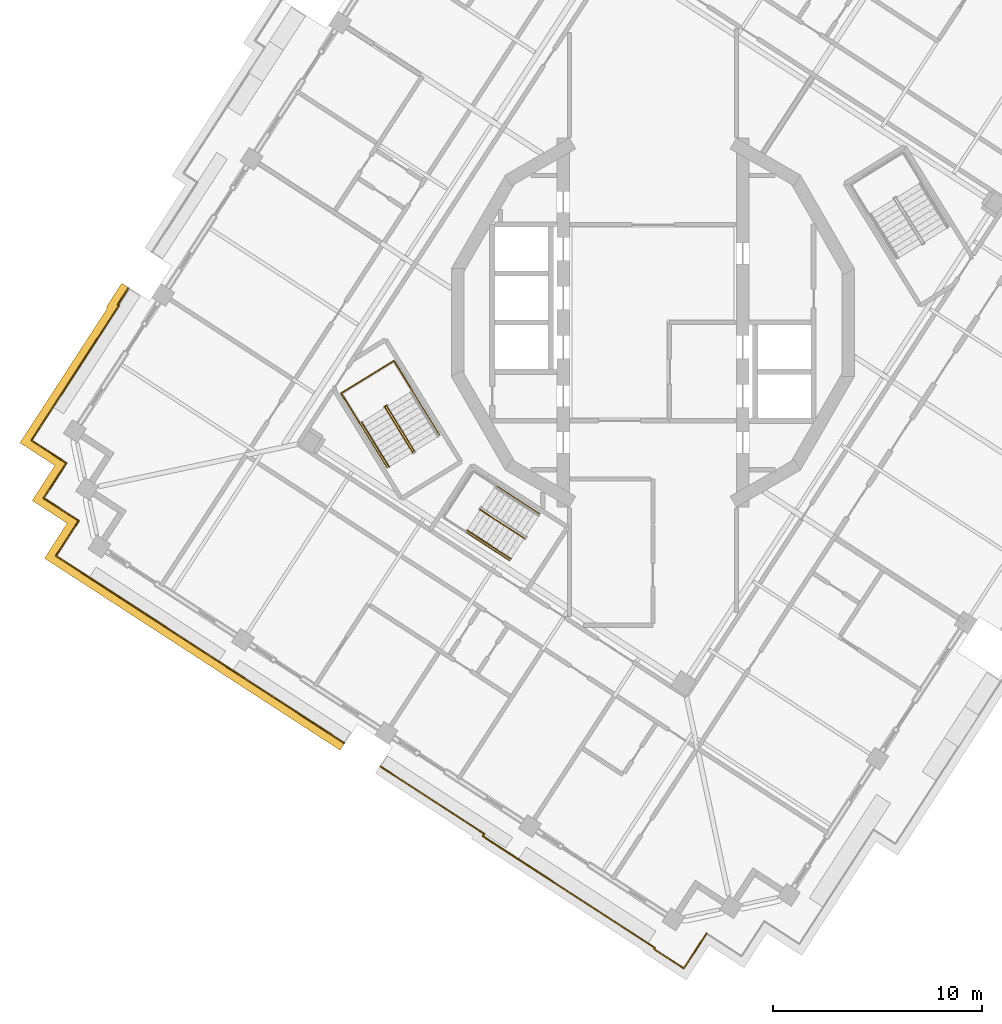
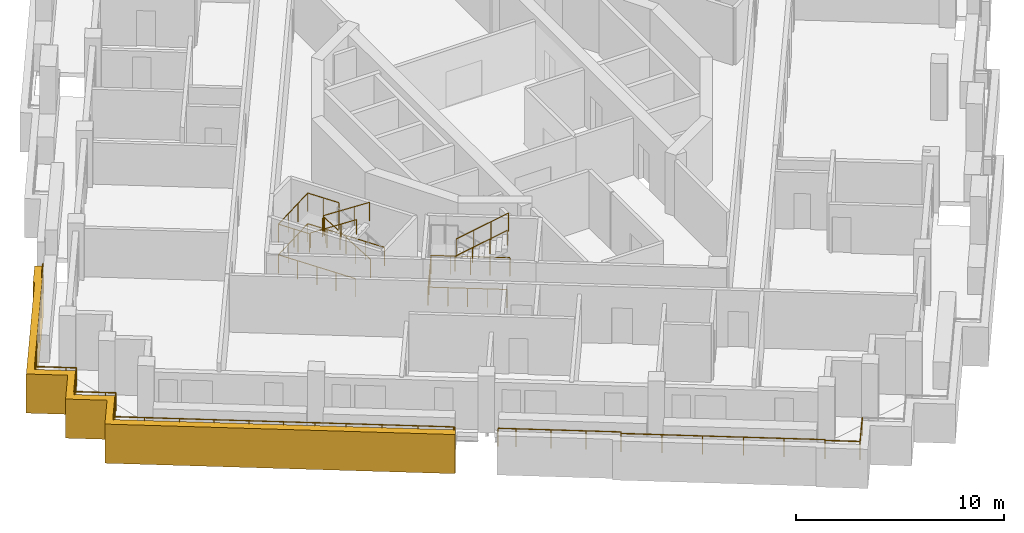
# One storey, part 11 of 15: 11 railings, 1 covering.
"""IFC4 building model written with IfcOpenShell, lengths in metres."""

from ifc_helpers import new_model, si_unit, direction, frame, origin, origin_2d, place, context, subcontext, project, spatial, polyline, circle, outline, extrude, material, type_object, element, save


model = new_model("IFC4")

# Units and contexts
model_context = context("Model", 3, precision=1e-05, world=origin(), true_north=direction((0.0, 1.0)))
body_context = subcontext(model_context, "Body", "Model", "MODEL_VIEW")
ifc_project = project(units=[si_unit("LENGTHUNIT", "METRE"), si_unit("AREAUNIT", "SQUARE_METRE"), si_unit("VOLUMEUNIT", "CUBIC_METRE"), si_unit("PLANEANGLEUNIT", "RADIAN"), si_unit("MASSUNIT", "GRAM", prefix="KILO")], contexts=[model_context])

# Site, building, storey
site_placement = place(None, origin())
site = spatial("IfcSite", under=ifc_project, at=site_placement, CompositionType="ELEMENT")
building_placement = place(site_placement, origin())
building = spatial("IfcBuilding", under=site, at=building_placement, Name="Cantera Rosa Tower", CompositionType="ELEMENT")
storey_placement = place(building_placement, frame((0.0, 0.0, 261.300048828125)))
storey = spatial("IfcBuildingStorey", under=building, at=storey_placement, Name="L58", CompositionType="ELEMENT", Elevation=261.300048828125)

# Railings
ifc_material_1 = material(Name="Stainless steel and laminated glass", Category="steel")
railing_type_1 = type_object("IfcRailingType", Name="GUARD 1100", PredefinedType="BALUSTRADE", material=ifc_material_1)
railing_1_placement = place(storey_placement, frame((-28.3720703125, -7.151123046875, 0.0)))
element("IfcRailing", 1, at=railing_1_placement, inside=storey, type_object=railing_type_1, Name="GUARD L58-1", PredefinedType="BALUSTRADE", context=body_context, shape_type="SweptSolid", body=[
    extrude(circle(Radius=0.030029296875, at=origin_2d()), frame((0.0, 0.0, 1.070068359375), z_axis=(0.544627753175, 0.83867789435, 0.0), x_axis=(-0.83867789435, 0.544627753175, 0.0)), (0.0, 0.0, 1.0), 0.499755859375),
    extrude(circle(Radius=0.030029296875, at=origin_2d()), frame((0.272216796875, 0.419189453125, 1.070068359375), z_axis=(-0.838454772945, 0.544971186143, 0.0), x_axis=(-0.544971186143, -0.838454772945, 0.0)), (0.0, 0.0, 1.0), 0.5),
    extrude(circle(Radius=0.030029296875, at=origin_2d()), frame((-0.14697265625, 0.691650390625, 1.070068359375), z_axis=(-0.8387001057, 0.544593548161, 0.0), x_axis=(-0.544593548161, -0.8387001057, 0.0)), (0.0, 0.0, 1.0), 1.5),
    extrude(circle(Radius=0.030029296875, at=origin_2d()), frame((-1.405029296875, 1.508544921875, 1.070068359375), z_axis=(0.544593548161, 0.8387001057, 0.0), x_axis=(-0.8387001057, 0.544593548161, 0.0)), (0.0, 0.0, 1.0), 1.5),
    extrude(circle(Radius=0.030029296875, at=origin_2d()), frame((-0.588134765625, 2.7666015625, 1.070068359375), z_axis=(0.544651062083, 0.838662757354, 0.0), x_axis=(-0.838662757354, 0.544651062083, 0.0)), (0.0, 0.0, 1.0), 6.208740234375),
    extrude(circle(Radius=0.030029296875, at=origin_2d()), frame((2.79345703125, 7.9736328125, 1.070068359375), z_axis=(-0.839844835389, 0.542826539947, 0.0), x_axis=(-0.542826539947, -0.839844835389, 0.0)), (0.0, 0.0, 1.0), 0.071533203125),
    extrude(circle(Radius=0.030029296875, at=origin_2d()), frame((2.7333984375, 8.012451171875, 1.070068359375), z_axis=(0.544605442853, 0.838692381994, 0.0), x_axis=(-0.838692381994, 0.544605442853, 0.0)), (0.0, 0.0, 1.0), 0.94140625),
    extrude(circle(Radius=0.02490234375, at=origin_2d()), origin(), (0.0, 0.0, 1.0), 1.0400390625),
    extrude(circle(Radius=0.02490234375, at=origin_2d()), frame((0.272216796875, 0.419189453125, 0.0)), (0.0, 0.0, 1.0), 1.0400390625),
    extrude(circle(Radius=0.02490234375, at=origin_2d()), frame((-0.14697265625, 0.691650390625, 0.0)), (0.0, 0.0, 1.0), 1.0400390625),
    extrude(circle(Radius=0.02490234375, at=origin_2d()), frame((-1.405029296875, 1.508544921875, 0.0)), (0.0, 0.0, 1.0), 1.0400390625),
    extrude(circle(Radius=0.02490234375, at=origin_2d()), frame((-0.588134765625, 2.7666015625, 0.0)), (0.0, 0.0, 1.0), 1.0400390625),
    extrude(circle(Radius=0.02490234375, at=origin_2d()), frame((0.5390625, 4.502197265625, 0.0)), (0.0, 0.0, 1.0), 1.0400390625),
    extrude(circle(Radius=0.02490234375, at=origin_2d()), frame((1.666259765625, 6.238037109375, 0.0)), (0.0, 0.0, 1.0), 1.0400390625),
    extrude(circle(Radius=0.02490234375, at=origin_2d()), frame((2.79345703125, 7.9736328125, 0.0)), (0.0, 0.0, 1.0), 1.0400390625),
    extrude(circle(Radius=0.02490234375, at=origin_2d()), frame((2.7333984375, 8.012451171875, 0.0)), (0.0, 0.0, 1.0), 1.0400390625),
    extrude(circle(Radius=0.02490234375, at=origin_2d()), frame((3.24609375, 8.802001953125, 0.0)), (0.0, 0.0, 1.0), 1.0400390625),
])
railing_2_placement = place(storey_placement, frame((-14.7880859375, -20.14599609375, 0.0)))
element("IfcRailing", 2, at=railing_2_placement, inside=storey, type_object=railing_type_1, Name="GUARD L58-2", PredefinedType="BALUSTRADE", context=body_context, shape_type="SweptSolid", body=[
    extrude(circle(Radius=0.030029296875, at=origin_2d()), frame((0.0, 0.0, 1.070068359375), z_axis=(-0.838443616301, 0.544988350595, 0.0), x_axis=(-0.544988350595, -0.838443616301, 0.0)), (0.0, 0.0, 1.0), 0.06982421875),
    extrude(circle(Radius=0.030029296875, at=origin_2d()), frame((-0.05859375, 0.0380859375, 1.070068359375), z_axis=(-0.838657010828, 0.544659910576, 0.0), x_axis=(-0.544659910576, -0.838657010828, 0.0)), (0.0, 0.0, 1.0), 5.2001953125),
    extrude(circle(Radius=0.030029296875, at=origin_2d()), frame((-4.419677734375, 2.870361328125, 1.070068359375), z_axis=(-0.8387001057, 0.544593548161, 0.0), x_axis=(-0.544593548161, -0.8387001057, 0.0)), (0.0, 0.0, 1.0), 3.0),
    extrude(circle(Radius=0.030029296875, at=origin_2d()), frame((-6.935791015625, 4.504150390625, 1.070068359375), z_axis=(-0.838666659313, 0.544645053734, 0.0), x_axis=(-0.544645053734, -0.838666659313, 0.0)), (0.0, 0.0, 1.0), 6.7001953125),
    extrude(circle(Radius=0.030029296875, at=origin_2d()), frame((-12.554931640625, 8.1533203125, 1.070068359375), z_axis=(-0.838651824232, 0.544667896716, 0.0), x_axis=(-0.544667896716, -0.838651824232, 0.0)), (0.0, 0.0, 1.0), 1.499755859375),
    extrude(circle(Radius=0.030029296875, at=origin_2d()), frame((-13.812744140625, 8.97021484375, 1.070068359375), z_axis=(0.544593548161, 0.8387001057, 0.0), x_axis=(-0.8387001057, 0.544593548161, 0.0)), (0.0, 0.0, 1.0), 1.5),
    extrude(circle(Radius=0.030029296875, at=origin_2d()), frame((-12.995849609375, 10.228271484375, 1.070068359375), z_axis=(0.544627753175, 0.83867789435, 0.0), x_axis=(-0.83867789435, 0.544627753175, 0.0)), (0.0, 0.0, 1.0), 0.499755859375),
    extrude(circle(Radius=0.030029296875, at=origin_2d()), frame((-12.7236328125, 10.6474609375, 1.070068359375), z_axis=(-0.838454772945, 0.544971186143, 0.0), x_axis=(-0.544971186143, -0.838454772945, 0.0)), (0.0, 0.0, 1.0), 0.5),
    extrude(circle(Radius=0.030029296875, at=origin_2d()), frame((-13.142822265625, 10.919921875, 1.070068359375), z_axis=(-0.8387001057, 0.544593548161, 0.0), x_axis=(-0.544593548161, -0.8387001057, 0.0)), (0.0, 0.0, 1.0), 1.5),
    extrude(circle(Radius=0.030029296875, at=origin_2d()), frame((-14.40087890625, 11.73681640625, 1.070068359375), z_axis=(0.544593548161, 0.8387001057, 0.0), x_axis=(-0.8387001057, 0.544593548161, 0.0)), (0.0, 0.0, 1.0), 1.5),
    extrude(circle(Radius=0.02490234375, at=origin_2d()), origin(), (0.0, 0.0, 1.0), 1.0400390625),
    extrude(circle(Radius=0.02490234375, at=origin_2d()), frame((-0.05859375, 0.0380859375, 0.0)), (0.0, 0.0, 1.0), 1.0400390625),
    extrude(circle(Radius=0.02490234375, at=origin_2d()), frame((-1.51220703125, 0.982177734375, 0.0)), (0.0, 0.0, 1.0), 1.0400390625),
    extrude(circle(Radius=0.02490234375, at=origin_2d()), frame((-2.966064453125, 1.92626953125, 0.0)), (0.0, 0.0, 1.0), 1.0400390625),
    extrude(circle(Radius=0.02490234375, at=origin_2d()), frame((-4.419677734375, 2.870361328125, 0.0)), (0.0, 0.0, 1.0), 1.0400390625),
    extrude(circle(Radius=0.02490234375, at=origin_2d()), frame((-5.677734375, 3.687255859375, 0.0)), (0.0, 0.0, 1.0), 1.0400390625),
    extrude(circle(Radius=0.02490234375, at=origin_2d()), frame((-6.935791015625, 4.504150390625, 0.0)), (0.0, 0.0, 1.0), 1.0400390625),
    extrude(circle(Radius=0.02490234375, at=origin_2d()), frame((-8.340576171875, 5.41650390625, 0.0)), (0.0, 0.0, 1.0), 1.0400390625),
    extrude(circle(Radius=0.02490234375, at=origin_2d()), frame((-9.745361328125, 6.32861328125, 0.0)), (0.0, 0.0, 1.0), 1.0400390625),
    extrude(circle(Radius=0.02490234375, at=origin_2d()), frame((-11.150146484375, 7.240966796875, 0.0)), (0.0, 0.0, 1.0), 1.0400390625),
    extrude(circle(Radius=0.02490234375, at=origin_2d()), frame((-12.554931640625, 8.1533203125, 0.0)), (0.0, 0.0, 1.0), 1.0400390625),
    extrude(circle(Radius=0.02490234375, at=origin_2d()), frame((-13.812744140625, 8.97021484375, 0.0)), (0.0, 0.0, 1.0), 1.0400390625),
    extrude(circle(Radius=0.02490234375, at=origin_2d()), frame((-12.995849609375, 10.228271484375, 0.0)), (0.0, 0.0, 1.0), 1.0400390625),
    extrude(circle(Radius=0.02490234375, at=origin_2d()), frame((-12.7236328125, 10.6474609375, 0.0)), (0.0, 0.0, 1.0), 1.0400390625),
    extrude(circle(Radius=0.02490234375, at=origin_2d()), frame((-13.142822265625, 10.919921875, 0.0)), (0.0, 0.0, 1.0), 1.0400390625),
    extrude(circle(Radius=0.02490234375, at=origin_2d()), frame((-14.40087890625, 11.73681640625, 0.0)), (0.0, 0.0, 1.0), 1.0400390625),
    extrude(circle(Radius=0.02490234375, at=origin_2d()), frame((-13.583984375, 12.994873046875, 0.0)), (0.0, 0.0, 1.0), 1.0400390625),
])
railing_3_placement = place(storey_placement, frame((2.571533203125, -29.273193359375, 0.0)))
element("IfcRailing", 3, at=railing_3_placement, inside=storey, type_object=railing_type_1, Name="GUARD L58-5", PredefinedType="BALUSTRADE", context=body_context, shape_type="SweptSolid", body=[
    extrude(circle(Radius=0.030029296875, at=origin_2d()), frame((0.0, 0.0, 1.070068359375), z_axis=(-0.54468796124, -0.838638792855, 0.0), x_axis=(0.838638792855, -0.54468796124, 0.0)), (0.0, 0.0, 1.0), 2.0),
    extrude(circle(Radius=0.030029296875, at=origin_2d()), frame((-1.08935546875, -1.67724609375, 1.070068359375), z_axis=(-0.838663412569, 0.54465005317, 0.0), x_axis=(-0.54465005317, -0.838663412569, 0.0)), (0.0, 0.0, 1.0), 1.69970703125),
    extrude(circle(Radius=0.030029296875, at=origin_2d()), frame((-2.514892578125, -0.75146484375, 1.070068359375), z_axis=(0.54339569987, 0.839476690184, 0.0), x_axis=(-0.839476690184, 0.54339569987, 0.0)), (0.0, 0.0, 1.0), 0.070068359375),
    extrude(circle(Radius=0.030029296875, at=origin_2d()), frame((-2.476806640625, -0.692626953125, 1.070068359375), z_axis=(-0.838672787013, 0.544635617935, 0.0), x_axis=(-0.544635617935, -0.838672787013, 0.0)), (0.0, 0.0, 1.0), 9.830078125),
    extrude(circle(Radius=0.030029296875, at=origin_2d()), frame((-10.720947265625, 4.6611328125, 1.070068359375), z_axis=(0.545120486239, 0.83835771332, 0.0), x_axis=(-0.83835771332, 0.545120486239, 0.0)), (0.0, 0.0, 1.0), 0.1298828125),
    extrude(circle(Radius=0.030029296875, at=origin_2d()), frame((-10.650146484375, 4.77001953125, 1.070068359375), z_axis=(-0.838664674471, 0.544648110062, 0.0), x_axis=(-0.544648110062, -0.838664674471, 0.0)), (0.0, 0.0, 1.0), 5.0703125),
    extrude(circle(Radius=0.030029296875, at=origin_2d()), frame((-14.90234375, 7.531494140625, 1.070068359375), z_axis=(-0.838725681888, 0.544554157584, 0.0), x_axis=(-0.544554157584, -0.838725681888, 0.0)), (0.0, 0.0, 1.0), 0.869873046875),
    extrude(circle(Radius=0.02490234375, at=origin_2d()), origin(), (0.0, 0.0, 1.0), 1.0400390625),
    extrude(circle(Radius=0.02490234375, at=origin_2d()), frame((-1.08935546875, -1.67724609375, 0.0)), (0.0, 0.0, 1.0), 1.0400390625),
    extrude(circle(Radius=0.02490234375, at=origin_2d()), frame((-2.514892578125, -0.75146484375, 0.0)), (0.0, 0.0, 1.0), 1.0400390625),
    extrude(circle(Radius=0.02490234375, at=origin_2d()), frame((-2.476806640625, -0.692626953125, 0.0)), (0.0, 0.0, 1.0), 1.0400390625),
    extrude(circle(Radius=0.02490234375, at=origin_2d()), frame((-4.125732421875, 0.378173828125, 0.0)), (0.0, 0.0, 1.0), 1.0400390625),
    extrude(circle(Radius=0.02490234375, at=origin_2d()), frame((-5.7744140625, 1.448974609375, 0.0)), (0.0, 0.0, 1.0), 1.0400390625),
    extrude(circle(Radius=0.02490234375, at=origin_2d()), frame((-7.42333984375, 2.51953125, 0.0)), (0.0, 0.0, 1.0), 1.0400390625),
    extrude(circle(Radius=0.02490234375, at=origin_2d()), frame((-9.072021484375, 3.59033203125, 0.0)), (0.0, 0.0, 1.0), 1.0400390625),
    extrude(circle(Radius=0.02490234375, at=origin_2d()), frame((-10.720947265625, 4.6611328125, 0.0)), (0.0, 0.0, 1.0), 1.0400390625),
    extrude(circle(Radius=0.02490234375, at=origin_2d()), frame((-10.650146484375, 4.77001953125, 0.0)), (0.0, 0.0, 1.0), 1.0400390625),
    extrude(circle(Radius=0.02490234375, at=origin_2d()), frame((-12.067626953125, 5.6904296875, 0.0)), (0.0, 0.0, 1.0), 1.0400390625),
    extrude(circle(Radius=0.02490234375, at=origin_2d()), frame((-13.48486328125, 6.611083984375, 0.0)), (0.0, 0.0, 1.0), 1.0400390625),
    extrude(circle(Radius=0.02490234375, at=origin_2d()), frame((-14.90234375, 7.531494140625, 0.0)), (0.0, 0.0, 1.0), 1.0400390625),
    extrude(circle(Radius=0.02490234375, at=origin_2d()), frame((-15.6318359375, 8.005126953125, 0.0)), (0.0, 0.0, 1.0), 1.0400390625),
])
ifc_material_2 = material(Name="Steel S355J2 (EN 10025-2)", Category="steel")
railing_type_2 = type_object("IfcRailingType", Name="STAIR GUARD 1100", PredefinedType="GUARDRAIL", material=ifc_material_2)
railing_4_placement = place(storey_placement, frame((-11.42333984375, -6.165771484375, 0.179931640625)))
element("IfcRailing", 4, at=railing_4_placement, inside=storey, type_object=railing_type_2, Name="L58 ST-52 stair guard 1", PredefinedType="GUARDRAIL", context=body_context, shape_type="SweptSolid", body=[
    extrude(circle(Radius=0.02392578125, at=origin_2d()), frame((0.0, 0.0, 1.076171875), z_axis=(-0.441609067481, 0.715913574058, 0.540785711718), x_axis=(-0.851102330005, -0.524999832248, 0.0)), (0.0, 0.0, 1.0), 2.995849609375),
    extrude(circle(Radius=0.02392578125, at=origin_2d()), frame((-1.322998046875, 2.144775390625, 2.6962890625), z_axis=(-0.073711968402, 0.997279572494, 0.0), x_axis=(-0.997279572494, -0.073711968402, 0.0)), (0.0, 0.0, 1.0), 0.056396484375),
    extrude(circle(Radius=0.02392578125, at=origin_2d()), frame((-1.3271484375, 2.200927734375, 2.6962890625), z_axis=(-0.851546489876, -0.524279100842, 0.0), x_axis=(0.524279100842, -0.851546489876, 0.0)), (0.0, 0.0, 1.0), 0.14990234375),
    extrude(circle(Radius=0.02099609375, at=origin_2d()), origin(), (0.0, 0.0, 1.0), 1.052001953125),
    extrude(circle(Radius=0.02099609375, at=origin_2d()), frame((-0.44091796875, 0.71484375, 0.5400390625)), (0.0, 0.0, 1.0), 1.052001953125),
    extrude(circle(Radius=0.02099609375, at=origin_2d()), frame((-0.882080078125, 1.429931640625, 1.080078125)), (0.0, 0.0, 1.0), 1.052001953125),
    extrude(circle(Radius=0.02099609375, at=origin_2d()), frame((-1.322998046875, 2.144775390625, 1.6201171875)), (0.0, 0.0, 1.0), 1.052001953125),
    extrude(circle(Radius=0.02099609375, at=origin_2d()), frame((-1.3271484375, 2.200927734375, 1.6201171875)), (0.0, 0.0, 1.0), 1.052001953125),
    extrude(circle(Radius=0.02099609375, at=origin_2d()), frame((-1.454833984375, 2.122314453125, 1.6201171875)), (0.0, 0.0, 1.0), 1.052001953125),
])
railing_5_placement = place(storey_placement, frame((-12.82958984375, -4.072509765625, 1.97998046875)))
element("IfcRailing", 5, at=railing_5_placement, inside=storey, type_object=railing_type_2, Name="L58 ST-52 stair guard 2", PredefinedType="GUARDRAIL", context=body_context, shape_type="SweptSolid", body=[
    extrude(circle(Radius=0.02392578125, at=origin_2d()), frame((0.0, 0.0, 1.076171875), z_axis=(0.441562923896, -0.715970890813, 0.540747508315), x_axis=(0.851145618652, 0.524929648476, 0.0)), (0.0, 0.0, 1.0), 2.99560546875),
    extrude(circle(Radius=0.02099609375, at=origin_2d()), origin(), (0.0, 0.0, 1.0), 1.052001953125),
    extrude(circle(Radius=0.02099609375, at=origin_2d()), frame((0.44091796875, -0.71484375, 0.5400390625)), (0.0, 0.0, 1.0), 1.052001953125),
    extrude(circle(Radius=0.02099609375, at=origin_2d()), frame((0.8818359375, -1.429931640625, 1.079833984375)), (0.0, 0.0, 1.0), 1.052001953125),
    extrude(circle(Radius=0.02099609375, at=origin_2d()), frame((1.32275390625, -2.144775390625, 1.619873046875)), (0.0, 0.0, 1.0), 1.052001953125),
])
railing_6_placement = place(storey_placement, frame((-10.20751953125, -5.40185546875, 0.0)))
element("IfcRailing", 6, at=railing_6_placement, inside=storey, type_object=railing_type_2, Name="L58 ST-52 stair guard 4", PredefinedType="GUARDRAIL", context=body_context, shape_type="SweptSolid", body=[
    extrude(circle(Radius=0.02392578125, at=origin_2d()), frame((0.0, 0.0, 1.076171875), z_axis=(-0.524976478809, 0.851116735059, 0.0), x_axis=(-0.851116735059, -0.524976478809, 0.0)), (0.0, 0.0, 1.0), 4.197998046875),
    extrude(circle(Radius=0.02392578125, at=origin_2d()), frame((-2.203857421875, 3.572998046875, 1.076171875), z_axis=(-0.851132917336, -0.524950242429, 0.0), x_axis=(0.524950242429, -0.851132917336, 0.0)), (0.0, 0.0, 1.0), 2.969970703125),
    extrude(circle(Radius=0.02392578125, at=origin_2d()), frame((-4.731689453125, 2.013916015625, 1.076171875), z_axis=(0.524976478809, -0.851116735059, 0.0), x_axis=(0.851116735059, 0.524976478809, 0.0)), (0.0, 0.0, 1.0), 4.197998046875),
    extrude(circle(Radius=0.02099609375, at=origin_2d()), origin(), (0.0, 0.0, 1.0), 1.052001953125),
    extrude(circle(Radius=0.02099609375, at=origin_2d()), frame((-0.551025390625, 0.893310546875, 0.0)), (0.0, 0.0, 1.0), 1.052001953125),
    extrude(circle(Radius=0.02099609375, at=origin_2d()), frame((-1.10205078125, 1.78662109375, 0.0)), (0.0, 0.0, 1.0), 1.052001953125),
    extrude(circle(Radius=0.02099609375, at=origin_2d()), frame((-1.65283203125, 2.6796875, 0.0)), (0.0, 0.0, 1.0), 1.052001953125),
    extrude(circle(Radius=0.02099609375, at=origin_2d()), frame((-2.203857421875, 3.572998046875, 0.0)), (0.0, 0.0, 1.0), 1.052001953125),
    extrude(circle(Radius=0.02099609375, at=origin_2d()), frame((-3.04638671875, 3.05322265625, 0.0)), (0.0, 0.0, 1.0), 1.052001953125),
    extrude(circle(Radius=0.02099609375, at=origin_2d()), frame((-3.88916015625, 2.53369140625, 0.0)), (0.0, 0.0, 1.0), 1.052001953125),
    extrude(circle(Radius=0.02099609375, at=origin_2d()), frame((-4.731689453125, 2.013916015625, 0.0)), (0.0, 0.0, 1.0), 1.052001953125),
    extrude(circle(Radius=0.02099609375, at=origin_2d()), frame((-4.1806640625, 1.12060546875, 0.0)), (0.0, 0.0, 1.0), 1.052001953125),
    extrude(circle(Radius=0.02099609375, at=origin_2d()), frame((-3.6298828125, 0.2275390625, 0.0)), (0.0, 0.0, 1.0), 1.052001953125),
    extrude(circle(Radius=0.02099609375, at=origin_2d()), frame((-3.078857421875, -0.665771484375, 0.0)), (0.0, 0.0, 1.0), 1.052001953125),
    extrude(circle(Radius=0.02099609375, at=origin_2d()), frame((-2.52783203125, -1.55908203125, 0.0)), (0.0, 0.0, 1.0), 1.052001953125),
])
railing_7_placement = place(storey_placement, frame((-11.517822265625, -3.27734375, 1.800048828125)))
element("IfcRailing", 7, at=railing_7_placement, inside=storey, type_object=railing_type_2, Name="L58 ST-52 stair guard 5", PredefinedType="GUARDRAIL", context=body_context, shape_type="SweptSolid", body=[
    extrude(circle(Radius=0.02392578125, at=origin_2d()), frame((0.0, 0.0, 1.076171875), z_axis=(-0.525025534833, 0.851086474909, 0.0), x_axis=(-0.851086474909, -0.525025534833, 0.0)), (0.0, 0.0, 1.0), 1.701904296875),
    extrude(circle(Radius=0.02392578125, at=origin_2d()), frame((-0.8935546875, 1.448486328125, 1.076171875), z_axis=(-0.851132917336, -0.524950242429, 0.0), x_axis=(0.524950242429, -0.851132917336, 0.0)), (0.0, 0.0, 1.0), 2.969970703125),
    extrude(circle(Radius=0.02392578125, at=origin_2d()), frame((-3.42138671875, -0.110595703125, 1.076171875), z_axis=(0.524961441845, -0.851126009811, 0.0), x_axis=(0.851126009811, 0.524961441845, 0.0)), (0.0, 0.0, 1.0), 1.7021484375),
    extrude(circle(Radius=0.02099609375, at=origin_2d()), origin(), (0.0, 0.0, 1.0), 1.052001953125),
    extrude(circle(Radius=0.02099609375, at=origin_2d()), frame((-0.44677734375, 0.72412109375, 0.0)), (0.0, 0.0, 1.0), 1.052001953125),
    extrude(circle(Radius=0.02099609375, at=origin_2d()), frame((-0.8935546875, 1.448486328125, 0.0)), (0.0, 0.0, 1.0), 1.052001953125),
    extrude(circle(Radius=0.02099609375, at=origin_2d()), frame((-1.736083984375, 0.9287109375, 0.0)), (0.0, 0.0, 1.0), 1.052001953125),
    extrude(circle(Radius=0.02099609375, at=origin_2d()), frame((-2.578857421875, 0.4091796875, 0.0)), (0.0, 0.0, 1.0), 1.052001953125),
    extrude(circle(Radius=0.02099609375, at=origin_2d()), frame((-3.42138671875, -0.110595703125, 0.0)), (0.0, 0.0, 1.0), 1.052001953125),
    extrude(circle(Radius=0.02099609375, at=origin_2d()), frame((-2.974609375, -0.8349609375, 0.0)), (0.0, 0.0, 1.0), 1.052001953125),
    extrude(circle(Radius=0.02099609375, at=origin_2d()), frame((-2.52783203125, -1.559326171875, 0.0)), (0.0, 0.0, 1.0), 1.052001953125),
])
railing_8_placement = place(storey_placement, frame((-8.270751953125, -8.963134765625, 1.97998046875)))
element("IfcRailing", 8, at=railing_8_placement, inside=storey, type_object=railing_type_2, Name="L58 ST-53 stair guard 2", PredefinedType="GUARDRAIL", context=body_context, shape_type="SweptSolid", body=[
    extrude(circle(Radius=0.02392578125, at=origin_2d()), frame((0.0, 0.0, 1.076171875), z_axis=(0.705478509026, -0.458120921815, 0.540763621463), x_axis=(0.54462048956, 0.838682611213, 0.0)), (0.0, 0.0, 1.0), 2.99560546875),
    extrude(circle(Radius=0.02099609375, at=origin_2d()), origin(), (0.0, 0.0, 1.0), 1.052001953125),
    extrude(circle(Radius=0.02099609375, at=origin_2d()), frame((0.704345703125, -0.45751953125, 0.5400390625)), (0.0, 0.0, 1.0), 1.052001953125),
    extrude(circle(Radius=0.02099609375, at=origin_2d()), frame((1.408935546875, -0.914794921875, 1.079833984375)), (0.0, 0.0, 1.0), 1.052001953125),
    extrude(circle(Radius=0.02099609375, at=origin_2d()), frame((2.11328125, -1.372314453125, 1.619873046875)), (0.0, 0.0, 1.0), 1.052001953125),
])
railing_9_placement = place(storey_placement, frame((-5.41357421875, -9.168212890625, 0.0)))
element("IfcRailing", 9, at=railing_9_placement, inside=storey, type_object=railing_type_2, Name="L58 ST-53 stair guard 4", PredefinedType="GUARDRAIL", context=body_context, shape_type="SweptSolid", body=[
    extrude(circle(Radius=0.02392578125, at=origin_2d()), frame((0.0, 0.0, 1.076171875), z_axis=(-0.838665308336, 0.544647134018, 0.0), x_axis=(-0.544647134018, -0.838665308336, 0.0)), (0.0, 0.0, 1.0), 3.798095703125),
    extrude(circle(Radius=0.02392578125, at=origin_2d()), frame((-3.185302734375, 2.068603515625, 1.076171875), z_axis=(-0.544679779991, -0.838644106442, 0.0), x_axis=(0.838644106442, -0.544679779991, 0.0)), (0.0, 0.0, 1.0), 2.670166015625),
    extrude(circle(Radius=0.02392578125, at=origin_2d()), frame((-4.6396484375, -0.170654296875, 1.076171875), z_axis=(0.838665308336, -0.544647134018, 0.0), x_axis=(0.544647134018, 0.838665308336, 0.0)), (0.0, 0.0, 1.0), 3.798095703125),
    extrude(circle(Radius=0.02099609375, at=origin_2d()), origin(), (0.0, 0.0, 1.0), 1.052001953125),
    extrude(circle(Radius=0.02099609375, at=origin_2d()), frame((-0.79638671875, 0.51708984375, 0.0)), (0.0, 0.0, 1.0), 1.052001953125),
    extrude(circle(Radius=0.02099609375, at=origin_2d()), frame((-1.5927734375, 1.0341796875, 0.0)), (0.0, 0.0, 1.0), 1.052001953125),
    extrude(circle(Radius=0.02099609375, at=origin_2d()), frame((-2.388916015625, 1.551513671875, 0.0)), (0.0, 0.0, 1.0), 1.052001953125),
    extrude(circle(Radius=0.02099609375, at=origin_2d()), frame((-3.185302734375, 2.068603515625, 0.0)), (0.0, 0.0, 1.0), 1.052001953125),
    extrude(circle(Radius=0.02099609375, at=origin_2d()), frame((-3.670166015625, 1.322265625, 0.0)), (0.0, 0.0, 1.0), 1.052001953125),
    extrude(circle(Radius=0.02099609375, at=origin_2d()), frame((-4.15478515625, 0.57568359375, 0.0)), (0.0, 0.0, 1.0), 1.052001953125),
    extrude(circle(Radius=0.02099609375, at=origin_2d()), frame((-4.6396484375, -0.170654296875, 0.0)), (0.0, 0.0, 1.0), 1.052001953125),
    extrude(circle(Radius=0.02099609375, at=origin_2d()), frame((-3.84326171875, -0.687744140625, 0.0)), (0.0, 0.0, 1.0), 1.052001953125),
    extrude(circle(Radius=0.02099609375, at=origin_2d()), frame((-3.046875, -1.205078125, 0.0)), (0.0, 0.0, 1.0), 1.052001953125),
    extrude(circle(Radius=0.02099609375, at=origin_2d()), frame((-2.250732421875, -1.72216796875, 0.0)), (0.0, 0.0, 1.0), 1.052001953125),
    extrude(circle(Radius=0.02099609375, at=origin_2d()), frame((-1.454345703125, -2.2392578125, 0.0)), (0.0, 0.0, 1.0), 1.052001953125),
])
ifc_material_3 = material(Name="Steel S355J2 (EN 10025-2)", Category="steel")
railing_type_3 = type_object("IfcRailingType", Name="STAIR HANDRAIL 900", PredefinedType="HANDRAIL", material=ifc_material_3)
railing_10_placement = place(storey_placement, frame((-13.958251953125, -4.7685546875, 1.97998046875)))
element("IfcRailing", 10, at=railing_10_placement, inside=storey, type_object=railing_type_3, Name="L58 ST-52 stair handrail 2", PredefinedType="HANDRAIL", context=body_context, shape_type="SweptSolid", body=[
    extrude(circle(Radius=0.02392578125, at=origin_2d()), frame((0.0, 0.0, 0.8759765625), z_axis=(0.441628529057, -0.715945124149, 0.540728047664), x_axis=(0.851102330005, 0.524999832248, 0.0)), (0.0, 0.0, 1.0), 2.99560546875),
    extrude(circle(Radius=0.02099609375, at=origin_2d()), origin(), (0.0, 0.0, 1.0), 0.851806640625),
    extrude(circle(Radius=0.02099609375, at=origin_2d()), frame((0.44091796875, -0.71484375, 0.5400390625)), (0.0, 0.0, 1.0), 0.851806640625),
    extrude(circle(Radius=0.02099609375, at=origin_2d()), frame((0.882080078125, -1.429931640625, 1.079833984375)), (0.0, 0.0, 1.0), 0.851806640625),
    extrude(circle(Radius=0.02099609375, at=origin_2d()), frame((1.322998046875, -2.144775390625, 1.619873046875)), (0.0, 0.0, 1.0), 0.851806640625),
])
railing_11_placement = place(storey_placement, frame((-8.911376953125, -9.94921875, 1.97998046875)))
element("IfcRailing", 11, at=railing_11_placement, inside=storey, type_object=railing_type_3, Name="L58 ST-53 stair handrail 2", PredefinedType="HANDRAIL", context=body_context, shape_type="SweptSolid", body=[
    extrude(circle(Radius=0.02392578125, at=origin_2d()), frame((0.0, 0.0, 0.8759765625), z_axis=(0.705493103535, -0.458158972863, 0.540712341684), x_axis=(0.544644381691, 0.838667095749, 0.0)), (0.0, 0.0, 1.0), 2.995849609375),
    extrude(circle(Radius=0.02099609375, at=origin_2d()), origin(), (0.0, 0.0, 1.0), 0.851806640625),
    extrude(circle(Radius=0.02099609375, at=origin_2d()), frame((0.70458984375, -0.45751953125, 0.5400390625)), (0.0, 0.0, 1.0), 0.851806640625),
    extrude(circle(Radius=0.02099609375, at=origin_2d()), frame((1.408935546875, -0.9150390625, 1.079833984375)), (0.0, 0.0, 1.0), 0.851806640625),
    extrude(circle(Radius=0.02099609375, at=origin_2d()), frame((2.113525390625, -1.37255859375, 1.619873046875)), (0.0, 0.0, 1.0), 0.851806640625),
])

# Covering
ifc_material_4 = material(Name="Cantera stone", Category="masonry")
covering_type = type_object("IfcCoveringType", Name="TRAY FASCIA 400", PredefinedType="CLADDING", material=ifc_material_4)
covering_placement = place(storey_placement, frame((0.0, 0.0, -1.400146484375)))
element("IfcCovering", 12, at=covering_placement, inside=storey, type_object=covering_type, Name="TRAY FASCIA L58-01", PredefinedType="CLADDING", context=body_context, shape_type="SweptSolid", body=[
    extrude(outline(polyline([(-25.450439453125, 1.885498046875), (-25.114990234375, 1.667724609375), (-25.638671875, 0.861328125), (-25.57861328125, 0.822509765625), (-28.960205078125, -4.384521484375), (-29.777099609375, -5.642578125), (-28.51904296875, -6.45947265625), (-28.099853515625, -6.73193359375), (-28.3720703125, -7.151123046875), (-29.18896484375, -8.4091796875), (-27.930908203125, -9.22607421875), (-27.51171875, -9.49853515625), (-27.783935546875, -9.917724609375), (-28.600830078125, -11.17578125), (-27.343017578125, -11.99267578125), (-21.723876953125, -15.641845703125), (-19.207763671875, -17.275634765625), (-14.8466796875, -20.10791015625), (-14.771240234375, -20.156982421875), (-14.989013671875, -20.492431640625), (-15.064697265625, -20.443359375), (-19.42578125, -17.611328125), (-21.941650390625, -15.977294921875), (-27.560791015625, -12.328125), (-29.154296875, -11.29345703125), (-28.119384765625, -9.699951171875), (-28.06494140625, -9.615966796875), (-28.14892578125, -9.5615234375), (-29.742431640625, -8.52685546875), (-28.70751953125, -6.933349609375), (-28.653076171875, -6.849365234375), (-28.73681640625, -6.794921875), (-30.330322265625, -5.76025390625), (-29.295654296875, -4.166748046875), (-26.132080078125, 0.704833984375), (-26.19189453125, 0.74365234375), (-25.450439453125, 1.885498046875)])), origin(), (0.0, 0.0, 1.0), 2.300048828125),
])

save(model, "model.ifc")
